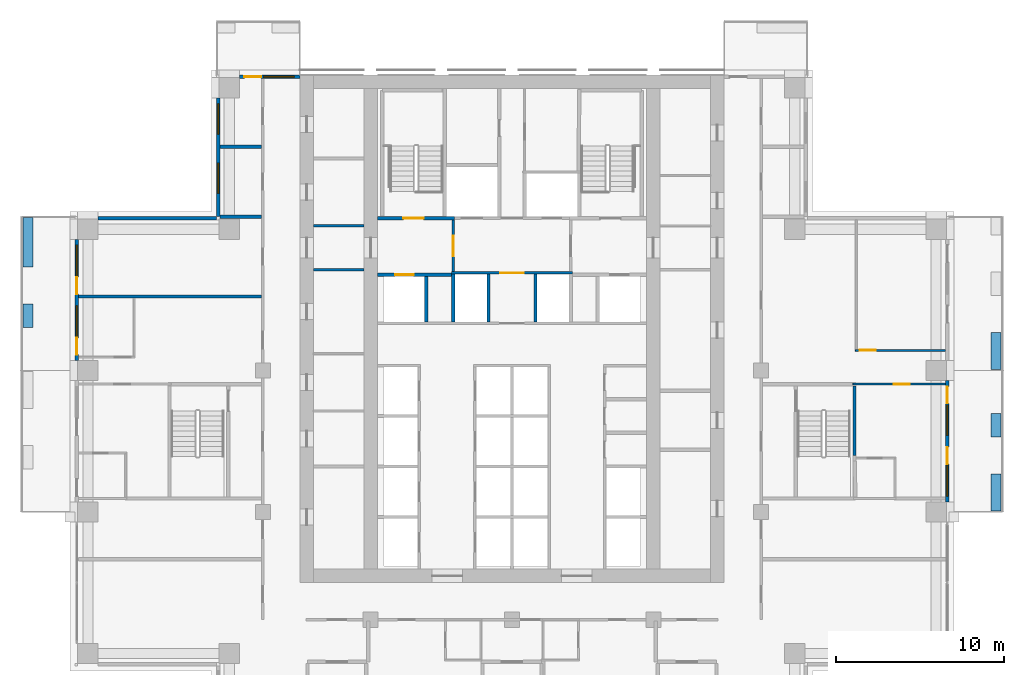
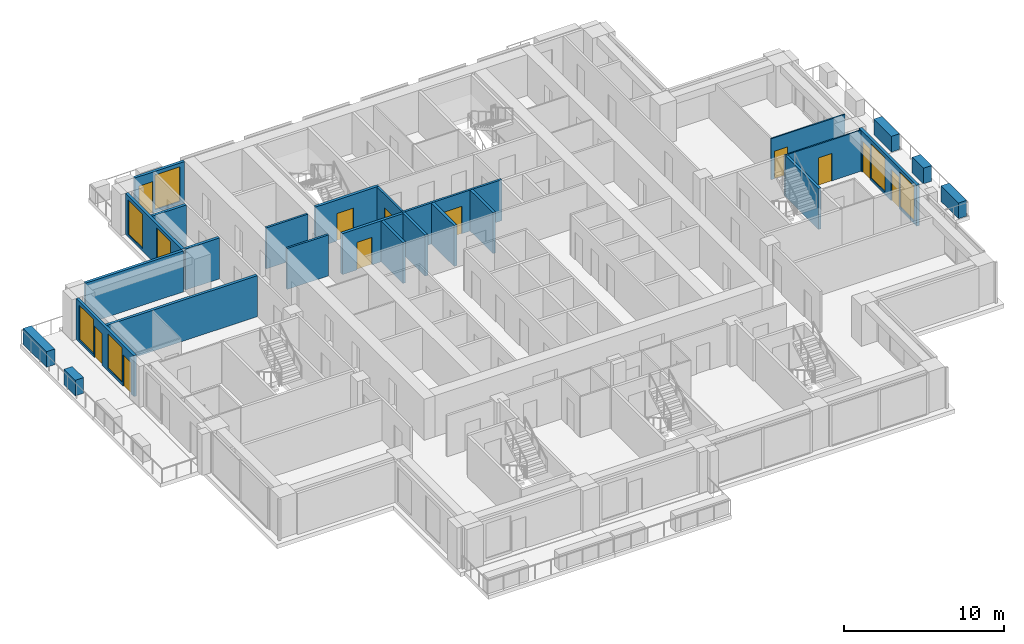
# One storey, part 10 of 16: 26 walls, 11 doors, 7 windows, 18 openings.
"""IFC4 building model written with IfcOpenShell, lengths in metres."""

from ifc_helpers import new_model, si_unit, direction, frame, frame_2d, origin, place, context, subcontext, project, spatial, rectangle, extrude, material, layer, layer_set, type_object, element, fill, save


model = new_model("IFC4")

# Units and contexts
model_context = context("Model", 3, precision=1e-05, world=origin(), true_north=direction((0.0, 1.0)))
body_context = subcontext(model_context, "Body", "Model", "MODEL_VIEW")
ifc_project = project(units=[si_unit("LENGTHUNIT", "METRE"), si_unit("AREAUNIT", "SQUARE_METRE"), si_unit("VOLUMEUNIT", "CUBIC_METRE"), si_unit("PLANEANGLEUNIT", "RADIAN"), si_unit("MASSUNIT", "GRAM", prefix="KILO")], contexts=[model_context])

# Site, building, storey
site_placement = place(None, origin())
site = spatial("IfcSite", under=ifc_project, at=site_placement, CompositionType="ELEMENT")
building_placement = place(site_placement, origin())
building = spatial("IfcBuilding", under=site, at=building_placement, Name="Vermilion Ogive Tower", CompositionType="ELEMENT")
storey_placement = place(building_placement, frame((0.0, 0.0, 101.10009765625)))
storey = spatial("IfcBuildingStorey", under=building, at=storey_placement, Name="L25", CompositionType="ELEMENT", Elevation=101.10009765625)

# Wall, opening, door
ifc_material_1 = material(Name="Gypsum board partition on steel studs", Category="steel")
ifc_layer_1 = layer(ifc_material_1, 0.10009765625)
ifc_layer_set_1 = layer_set([ifc_layer_1], Name="Partition 100 inner")
wall_type_1 = type_object("IfcWallType", Name="Partition 100 inner", PredefinedType="PARTITIONING", material=ifc_layer_set_1)
wall_1_placement = place(storey_placement, frame((20.25, 3.39990234375, 0.0), z_axis=(0.0, 0.0, 1.0), x_axis=(1.0, 0.0, 0.0)))
wall_1 = element("IfcWall", 1, at=wall_1_placement, inside=storey, type_object=wall_type_1, Name="L25-W-W024", PredefinedType="PARTITIONING", context=body_context, shape_type="SweptSolid", body=[
    extrude(rectangle(XDim=5.5, YDim=0.10009765625, at=frame_2d((2.75, 0.0))), origin(), (0.0, 0.0, 1.0), 3.1298828125),
])
opening_1_placement = place(wall_1_placement, frame((2.425048828125, 0.0, 0.0)))
opening_1 = element("IfcOpeningElement", 2, at=opening_1_placement, cuts=wall_1, Name="Opening D2G3016", PredefinedType="OPENING", context=body_context, shape_type="SweptSolid", body=[
    extrude(rectangle(XDim=0.949951171875, YDim=2.10009765625, at=frame_2d((0.47509765625, 1.050048828125))), frame((0.0, 0.06005859375, 0.0), z_axis=(0.0, -1.0, 0.0), x_axis=(1.0, 0.0, 0.0)), (0.0, 0.0, 1.0), 0.1201171875),
])
ifc_material_2 = material(Name="Timber door leaf", Category="wood")
door_type_1 = type_object("IfcDoorType", Name="Inner door 950 x 2100 FD30", OperationType="SINGLE_SWING_LEFT", PredefinedType="DOOR", material=ifc_material_2)
door_1_placement = place(opening_1_placement, origin())
door_1 = element("IfcDoor", 3, at=door_1_placement, inside=storey, type_object=door_type_1, Name="L25-D-D016", OperationType="SINGLE_SWING_LEFT", OverallHeight=2.10009765625, OverallWidth=0.949951171875, PredefinedType="DOOR", context=body_context, shape_type="SweptSolid", body=[
    extrude(rectangle(XDim=0.949951171875, YDim=2.10009765625, at=frame_2d((0.47509765625, 1.050048828125))), frame((0.0, 0.02490234375, 0.0), z_axis=(0.0, -1.0, 0.0), x_axis=(1.0, 0.0, 0.0)), (0.0, 0.0, 1.0), 0.050048828125),
])
fill(opening_1, door_1)

wall_2_placement = place(storey_placement, frame((20.39990234375, 5.39990234375, 0.0), z_axis=(0.0, 0.0, 1.0), x_axis=(1.0, 0.0, 0.0)))
wall_2 = element("IfcWall", 4, at=wall_2_placement, inside=storey, type_object=wall_type_1, Name="L25-W-W026", PredefinedType="PARTITIONING", context=body_context, shape_type="SweptSolid", body=[
    extrude(rectangle(XDim=5.35009765625, YDim=0.10009765625, at=frame_2d((2.675048828125, 0.0))), origin(), (0.0, 0.0, 1.0), 3.1298828125),
])
opening_2_placement = place(wall_2_placement, frame((0.25, 0.0, 0.0)))
opening_2 = element("IfcOpeningElement", 5, at=opening_2_placement, cuts=wall_2, Name="Opening D2G3014", PredefinedType="OPENING", context=body_context, shape_type="SweptSolid", body=[
    extrude(rectangle(XDim=0.949951171875, YDim=2.10009765625, at=frame_2d((0.47509765625, 1.050048828125))), frame((0.0, 0.06005859375, 0.0), z_axis=(0.0, -1.0, 0.0), x_axis=(1.0, 0.0, 0.0)), (0.0, 0.0, 1.0), 0.1201171875),
])
door_2_placement = place(opening_2_placement, origin())
door_2 = element("IfcDoor", 6, at=door_2_placement, inside=storey, type_object=door_type_1, Name="L25-D-D014", OperationType="SINGLE_SWING_LEFT", OverallHeight=2.10009765625, OverallWidth=0.949951171875, PredefinedType="DOOR", context=body_context, shape_type="SweptSolid", body=[
    extrude(rectangle(XDim=0.949951171875, YDim=2.10009765625, at=frame_2d((0.47509765625, 1.050048828125))), frame((0.0, 0.02490234375, 0.0), z_axis=(0.0, -1.0, 0.0), x_axis=(1.0, 0.0, 0.0)), (0.0, 0.0, 1.0), 0.050048828125),
])
fill(opening_2, door_2)

ifc_material_3 = material(Name="Gypsum board partition on steel studs", Category="steel")
ifc_layer_2 = layer(ifc_material_3, 0.14990234375)
ifc_layer_set_2 = layer_set([ifc_layer_2], Name="Partition 150 corridor")
wall_type_2 = type_object("IfcWallType", Name="Partition 150 corridor", PredefinedType="PARTITIONING", material=ifc_layer_set_2)
wall_3_placement = place(storey_placement, frame((-3.60009765625, 10.0, 0.0), z_axis=(0.0, 0.0, 1.0), x_axis=(1.0, 0.0, 0.0)))
wall_3 = element("IfcWall", 7, at=wall_3_placement, inside=storey, type_object=wall_type_2, Name="L25-CK-W-W017", PredefinedType="PARTITIONING", context=body_context, shape_type="SweptSolid", body=[
    extrude(rectangle(XDim=7.2001953125, YDim=0.14990234375, at=frame_2d((3.60009765625, 0.0))), origin(), (0.0, 0.0, 1.0), 3.1298828125),
])
opening_3_placement = place(wall_3_placement, frame((2.900146484375, 0.0, 0.0)))
opening_3 = element("IfcOpeningElement", 8, at=opening_3_placement, cuts=wall_3, Name="Opening DAA187", PredefinedType="OPENING", context=body_context, shape_type="SweptSolid", body=[
    extrude(rectangle(XDim=1.39990234375, YDim=2.10009765625, at=frame_2d((0.699951171875, 1.050048828125))), frame((0.0, 0.0849609375, 0.0), z_axis=(0.0, -1.0, 0.0), x_axis=(1.0, 0.0, 0.0)), (0.0, 0.0, 1.0), 0.169921875),
])
ifc_material_4 = material(Name="Timber door leaf", Category="wood")
door_type_2 = type_object("IfcDoorType", Name="Lobby door 1400 x 2100 FD60S", OperationType="SINGLE_SWING_LEFT", PredefinedType="DOOR", material=ifc_material_4)
door_3_placement = place(opening_3_placement, origin())
door_3 = element("IfcDoor", 9, at=door_3_placement, inside=storey, type_object=door_type_2, Name="L25-CK-D-D017", OperationType="SINGLE_SWING_RIGHT", OverallHeight=2.10009765625, OverallWidth=1.39990234375, PredefinedType="DOOR", context=body_context, shape_type="SweptSolid", body=[
    extrude(rectangle(XDim=1.39990234375, YDim=2.10009765625, at=frame_2d((0.699951171875, 1.050048828125))), frame((0.0, 0.02490234375, 0.0), z_axis=(0.0, -1.0, 0.0), x_axis=(1.0, 0.0, 0.0)), (0.0, 0.0, 1.0), 0.050048828125),
])
fill(opening_3, door_3)

wall_4_placement = place(storey_placement, frame((-3.5, 10.074951171875, 0.0), z_axis=(0.0, 0.0, 1.0), x_axis=(0.0, 1.0, 0.0)))
wall_4 = element("IfcWall", 10, at=wall_4_placement, inside=storey, type_object=wall_type_2, Name="L25-CK-W-W027", PredefinedType="PARTITIONING", context=body_context, shape_type="SweptSolid", body=[
    extrude(rectangle(XDim=3.074951171875, YDim=0.14990234375, at=frame_2d((1.53759765625, 0.0))), origin(), (0.0, 0.0, 1.0), 3.1298828125),
])
opening_4_placement = place(wall_4_placement, frame((0.925048828125, 0.0, 0.0)))
opening_4 = element("IfcOpeningElement", 11, at=opening_4_placement, cuts=wall_4, Name="Opening DAA184", PredefinedType="OPENING", context=body_context, shape_type="SweptSolid", body=[
    extrude(rectangle(XDim=1.199951171875, YDim=2.10009765625, at=frame_2d((0.60009765625, 1.050048828125))), frame((0.0, 0.0849609375, 0.0), z_axis=(0.0, -1.0, 0.0), x_axis=(1.0, 0.0, 0.0)), (0.0, 0.0, 1.0), 0.169921875),
])
ifc_material_5 = material(Name="Timber door leaf", Category="wood")
door_type_3 = type_object("IfcDoorType", Name="Lobby door 1200 x 2100 FD60S", OperationType="SINGLE_SWING_LEFT", PredefinedType="DOOR", material=ifc_material_5)
door_4_placement = place(opening_4_placement, origin())
door_4 = element("IfcDoor", 12, at=door_4_placement, inside=storey, type_object=door_type_3, Name="L25-CK-D-D023", OperationType="SINGLE_SWING_RIGHT", OverallHeight=2.10009765625, OverallWidth=1.199951171875, PredefinedType="DOOR", context=body_context, shape_type="SweptSolid", body=[
    extrude(rectangle(XDim=1.199951171875, YDim=2.10009765625, at=frame_2d((0.60009765625, 1.050048828125))), frame((0.0, 0.02490234375, 0.0), z_axis=(0.0, -1.0, 0.0), x_axis=(1.0, 0.0, 0.0)), (0.0, 0.0, 1.0), 0.050048828125),
])
fill(opening_4, door_4)

# Walls
for number, where, z_axis, x_axis, name in (
    (13, (-11.799072265625, 10.199951171875, 0.0), (0.0, 0.0, 1.0), (1.0, 0.0, 0.0), "L25-CKW-W-W004"),
    (14, (-11.799072265625, 12.800048828125, 0.0), (0.0, 0.0, 1.0), (1.0, 0.0, 0.0), "L25-CKW-W-W005"),
):
    element("IfcWall", number, at=place(storey_placement, frame(where, z_axis=z_axis, x_axis=x_axis)), inside=storey, type_object=wall_type_2, Name=name, PredefinedType="PARTITIONING", context=body_context, shape_type="SweptSolid", body=[
        extrude(rectangle(XDim=2.998046875, YDim=0.14990234375, at=frame_2d((1.4990234375, 0.0))), origin(), (0.0, 0.0, 1.0), 3.1298828125),
    ])
ifc_material_6 = material(Name="Gypsum board partition on steel studs", Category="steel")
ifc_layer_3 = layer(ifc_material_6, 0.199951171875)
ifc_layer_set_3 = layer_set([ifc_layer_3], Name="Partition 200 party")
wall_type_3 = type_object("IfcWallType", Name="Partition 200 party", PredefinedType="PARTITIONING", material=ifc_layer_set_3)
wall_5_placement = place(storey_placement, frame((-25.75, 8.60009765625, 0.0), z_axis=(0.0, 0.0, 1.0), x_axis=(1.0, 0.0, 0.0)))
element("IfcWall", 15, at=wall_5_placement, inside=storey, type_object=wall_type_3, Name="L25-W-W027", PredefinedType="PARTITIONING", context=body_context, shape_type="SweptSolid", body=[
    extrude(rectangle(XDim=10.875, YDim=0.199951171875, at=frame_2d((5.4375, 0.0))), origin(), (0.0, 0.0, 1.0), 3.1298828125),
])
for number, where, z_axis, x_axis, name in (
    (16, (-17.35009765625, 13.35009765625, 0.0), (0.0, 0.0, 1.0), (1.0, 0.0, 0.0), "L25-W-W028"),
    (17, (-17.35009765625, 17.5, 0.0), (0.0, 0.0, 1.0), (1.0, 0.0, 0.0), "L25-W-W030"),
):
    element("IfcWall", number, at=place(storey_placement, frame(where, z_axis=z_axis, x_axis=x_axis)), inside=storey, type_object=wall_type_3, Name=name, PredefinedType="PARTITIONING", context=body_context, shape_type="SweptSolid", body=[
        extrude(rectangle(XDim=2.47509765625, YDim=0.199951171875, at=frame_2d((1.237548828125, 0.0))), origin(), (0.0, 0.0, 1.0), 3.1298828125),
    ])

# Wall, opening, door
wall_6_placement = place(storey_placement, frame((-7.9990234375, 9.89990234375, 0.0), z_axis=(0.0, 0.0, 1.0), x_axis=(1.0, 0.0, 0.0)))
wall_6 = element("IfcWall", 18, at=wall_6_placement, inside=storey, type_object=wall_type_3, Name="L25-CK-W-W015", PredefinedType="PARTITIONING", context=body_context, shape_type="SweptSolid", body=[
    extrude(rectangle(XDim=4.39892578125, YDim=0.199951171875, at=frame_2d((2.199462890625, 0.0))), origin(), (0.0, 0.0, 1.0), 3.1298828125),
])
opening_5_placement = place(wall_6_placement, frame((1.049072265625, 0.0, 0.0)))
opening_5 = element("IfcOpeningElement", 19, at=opening_5_placement, cuts=wall_6, Name="Opening DAA206", PredefinedType="OPENING", context=body_context, shape_type="SweptSolid", body=[
    extrude(rectangle(XDim=1.10009765625, YDim=2.10009765625, at=frame_2d((0.550048828125, 1.050048828125))), frame((0.0, 0.10986328125, 0.0), z_axis=(0.0, -1.0, 0.0), x_axis=(1.0, 0.0, 0.0)), (0.0, 0.0, 1.0), 0.219970703125),
])
ifc_material_7 = material(Name="Stainless steel", Category="steel")
door_type_4 = type_object("IfcDoorType", Name="Lift landing door 1100 x 2100", OperationType="SLIDING_TO_LEFT", PredefinedType="DOOR", material=ifc_material_7)
door_5_placement = place(opening_5_placement, origin())
door_5 = element("IfcDoor", 20, at=door_5_placement, inside=storey, type_object=door_type_4, Name="L25-CK-D-D013", OperationType="SLIDING_TO_LEFT", OverallHeight=2.10009765625, OverallWidth=1.10009765625, PredefinedType="DOOR", context=body_context, shape_type="SweptSolid", body=[
    extrude(rectangle(XDim=1.10009765625, YDim=2.10009765625, at=frame_2d((0.550048828125, 1.050048828125))), frame((0.0, 0.02490234375, 0.0), z_axis=(0.0, -1.0, 0.0), x_axis=(1.0, 0.0, 0.0)), (0.0, 0.0, 1.0), 0.050048828125),
])
fill(opening_5, door_5)

# Walls
wall_7_placement = place(storey_placement, frame((-5.10009765625, 7.074951171875, 0.0), z_axis=(0.0, 0.0, 1.0), x_axis=(0.0, 1.0, 0.0)))
element("IfcWall", 21, at=wall_7_placement, inside=storey, type_object=wall_type_3, Name="L25-CK-W-W024", PredefinedType="PARTITIONING", context=body_context, shape_type="SweptSolid", body=[
    extrude(rectangle(XDim=2.72509765625, YDim=0.199951171875, at=frame_2d((1.362548828125, 0.0))), origin(), (0.0, 0.0, 1.0), 3.1298828125),
])
for number, where, z_axis, x_axis, name in (
    (22, (-3.5, 7.074951171875, 0.0), (0.0, 0.0, 1.0), (0.0, 1.0, 0.0), "L25-CK-W-W026"),
    (23, (-1.39990234375, 7.074951171875, 0.0), (0.0, 0.0, 1.0), (0.0, 1.0, 0.0), "L25-CK-W-W029"),
    (24, (1.39990234375, 7.074951171875, 0.0), (0.0, 0.0, 1.0), (0.0, 1.0, 0.0), "L25-CK-W-W034"),
):
    element("IfcWall", number, at=place(storey_placement, frame(where, z_axis=z_axis, x_axis=x_axis)), inside=storey, type_object=wall_type_3, Name=name, PredefinedType="PARTITIONING", context=body_context, shape_type="SweptSolid", body=[
        extrude(rectangle(XDim=2.85009765625, YDim=0.199951171875, at=frame_2d((1.425048828125, 0.0))), origin(), (0.0, 0.0, 1.0), 3.1298828125),
    ])
ifc_material_8 = material(Name="Concrete B60", Category="concrete")
ifc_layer_4 = layer(ifc_material_8, 0.199951171875)
ifc_layer_set_4 = layer_set([ifc_layer_4], Name="Stair shaft wall 200 Concrete B60")
wall_type_4 = type_object("IfcWallType", Name="Stair shaft wall 200 Concrete B60", PredefinedType="SOLIDWALL", material=ifc_layer_set_4)
wall_8_placement = place(storey_placement, frame((20.35009765625, -0.830078125, 0.0), z_axis=(0.0, 0.0, 1.0), x_axis=(0.0, 1.0, 0.0)))
element("IfcWall", 25, at=wall_8_placement, inside=storey, type_object=wall_type_4, Name="L25-W-W049", PredefinedType="SOLIDWALL", context=body_context, shape_type="SweptSolid", body=[
    extrude(rectangle(XDim=4.130126953125, YDim=0.199951171875, at=frame_2d((2.06494140625, 0.0))), origin(), (0.0, 0.0, 1.0), 3.1298828125),
])

# Wall, opening, door
wall_9_placement = place(storey_placement, frame((-7.9990234375, 13.25, 0.0), z_axis=(0.0, 0.0, 1.0), x_axis=(1.0, 0.0, 0.0)))
wall_9 = element("IfcWall", 26, at=wall_9_placement, inside=storey, type_object=wall_type_4, Name="L25-CK-W-W018", PredefinedType="SOLIDWALL", context=body_context, shape_type="SweptSolid", body=[
    extrude(rectangle(XDim=4.573974609375, YDim=0.199951171875, at=frame_2d((2.287109375, 0.0))), origin(), (0.0, 0.0, 1.0), 3.1298828125),
])
opening_6_placement = place(wall_9_placement, frame((1.549072265625, 0.0, 0.0)))
opening_6 = element("IfcOpeningElement", 27, at=opening_6_placement, cuts=wall_9, Name="Opening DAA194", PredefinedType="OPENING", context=body_context, shape_type="SweptSolid", body=[
    extrude(rectangle(XDim=1.199951171875, YDim=2.10009765625, at=frame_2d((0.60009765625, 1.050048828125))), frame((0.0, 0.10986328125, 0.0), z_axis=(0.0, -1.0, 0.0), x_axis=(1.0, 0.0, 0.0)), (0.0, 0.0, 1.0), 0.219970703125),
])
ifc_material_9 = material(Name="Timber door leaf", Category="wood")
door_type_5 = type_object("IfcDoorType", Name="Stair door 1200 x 2100 FD60S", OperationType="SINGLE_SWING_LEFT", PredefinedType="DOOR", material=ifc_material_9)
door_6_placement = place(opening_6_placement, origin())
door_6 = element("IfcDoor", 28, at=door_6_placement, inside=storey, type_object=door_type_5, Name="L25-CK-D-D012", OperationType="SINGLE_SWING_LEFT", OverallHeight=2.10009765625, OverallWidth=1.199951171875, PredefinedType="DOOR", context=body_context, shape_type="SweptSolid", body=[
    extrude(rectangle(XDim=1.199951171875, YDim=2.10009765625, at=frame_2d((0.60009765625, 1.050048828125))), frame((0.0, 0.02490234375, 0.0), z_axis=(0.0, -1.0, 0.0), x_axis=(1.0, 0.0, 0.0)), (0.0, 0.0, 1.0), 0.050048828125),
])
fill(opening_6, door_6)

# Walls
ifc_material_10 = material(Name="Concrete B40", Category="concrete")
ifc_layer_5 = layer(ifc_material_10, 0.60009765625)
ifc_layer_set_5 = layer_set([ifc_layer_5], Name="Structural planter")
wall_type_5 = type_object("IfcWallType", Name="Structural planter", PredefinedType="USERDEFINED", material=ifc_layer_set_5)
wall_10_placement = place(storey_placement, frame((28.75, -4.139892578125, -0.0400390625), z_axis=(0.0, 0.0, 1.0), x_axis=(0.0, 1.0, 0.0)))
element("IfcWall", 29, at=wall_10_placement, inside=storey, type_object=wall_type_5, Name="Planter E02A1", ObjectType="PLANTER", PredefinedType="USERDEFINED", context=body_context, shape_type="SweptSolid", body=[
    extrude(rectangle(XDim=2.18994140625, YDim=0.60009765625, at=frame_2d((1.094970703125, 0.0))), origin(), (0.0, 0.0, 1.0), 1.199951171875),
])
wall_11_placement = place(storey_placement, frame((28.75, 0.25, -0.0400390625), z_axis=(0.0, 0.0, 1.0), x_axis=(0.0, 1.0, 0.0)))
element("IfcWall", 30, at=wall_11_placement, inside=storey, type_object=wall_type_5, Name="Planter E02A2", ObjectType="PLANTER", PredefinedType="USERDEFINED", context=body_context, shape_type="SweptSolid", body=[
    extrude(rectangle(XDim=1.39990234375, YDim=0.60009765625, at=frame_2d((0.699951171875, 0.0))), origin(), (0.0, 0.0, 1.0), 1.199951171875),
])
wall_12_placement = place(storey_placement, frame((28.75, 4.260009765625, -0.0400390625), z_axis=(0.0, 0.0, 1.0), x_axis=(0.0, 1.0, 0.0)))
element("IfcWall", 31, at=wall_12_placement, inside=storey, type_object=wall_type_5, Name="Planter E03A1", ObjectType="PLANTER", PredefinedType="USERDEFINED", context=body_context, shape_type="SweptSolid", body=[
    extrude(rectangle(XDim=2.18994140625, YDim=0.60009765625, at=frame_2d((1.094970703125, 0.0))), origin(), (0.0, 0.0, 1.0), 1.199951171875),
])
wall_13_placement = place(storey_placement, frame((-28.75, 13.2900390625, -0.0400390625), z_axis=(0.0, 0.0, 1.0), x_axis=(0.0, -1.0, 0.0)))
element("IfcWall", 32, at=wall_13_placement, inside=storey, type_object=wall_type_5, Name="Planter W01A1", ObjectType="PLANTER", PredefinedType="USERDEFINED", context=body_context, shape_type="SweptSolid", body=[
    extrude(rectangle(XDim=2.93994140625, YDim=0.60009765625, at=frame_2d((1.469970703125, 0.0))), origin(), (0.0, 0.0, 1.0), 1.199951171875),
])
wall_14_placement = place(storey_placement, frame((-28.75, 8.14990234375, -0.0400390625), z_axis=(0.0, 0.0, 1.0), x_axis=(0.0, -1.0, 0.0)))
element("IfcWall", 33, at=wall_14_placement, inside=storey, type_object=wall_type_5, Name="Planter W01A2", ObjectType="PLANTER", PredefinedType="USERDEFINED", context=body_context, shape_type="SweptSolid", body=[
    extrude(rectangle(XDim=1.39990234375, YDim=0.60009765625, at=frame_2d((0.699951171875, 0.0))), origin(), (0.0, 0.0, 1.0), 1.199951171875),
])

# Wall, openings, doors, windows
ifc_material_11 = material(Name="Aluminium window wall framing", Category="aluminium")
ifc_layer_6 = layer(ifc_material_11, 0.199951171875)
ifc_layer_set_6 = layer_set([ifc_layer_6], Name="Window wall")
wall_type_6 = type_object("IfcWallType", Name="Window wall", PredefinedType="STANDARD", material=ifc_layer_set_6)
wall_15_placement = place(storey_placement, frame((25.85009765625, -3.60009765625, 0.0), z_axis=(0.0, 0.0, 1.0), x_axis=(0.0, 1.0, 0.0)))
wall_15 = element("IfcWall", 34, at=wall_15_placement, inside=storey, type_object=wall_type_6, Name="Window wall E2", PredefinedType="STANDARD", context=body_context, shape_type="SweptSolid", body=[
    extrude(rectangle(XDim=7.2001953125, YDim=0.199951171875, at=frame_2d((3.60009765625, 0.0))), origin(), (0.0, 0.0, 1.0), 3.1298828125),
])
opening_7_placement = place(wall_15_placement, frame((0.35009765625, 0.0, 0.199951171875)))
opening_7 = element("IfcOpeningElement", 35, at=opening_7_placement, cuts=wall_15, Name="Opening W1-E99", PredefinedType="OPENING", context=body_context, shape_type="SweptSolid", body=[
    extrude(rectangle(XDim=1.800048828125, YDim=2.64990234375, at=frame_2d((0.89990234375, 1.324951171875))), frame((0.0, 0.10986328125, 0.0), z_axis=(0.0, -1.0, 0.0), x_axis=(1.0, 0.0, 0.0)), (0.0, 0.0, 1.0), 0.219970703125),
])
opening_8_placement = place(wall_15_placement, frame((2.25, 0.0, 0.0)))
opening_8 = element("IfcOpeningElement", 36, at=opening_8_placement, cuts=wall_15, Name="Opening D1-E99", PredefinedType="OPENING", context=body_context, shape_type="SweptSolid", body=[
    extrude(rectangle(XDim=1.0, YDim=2.39990234375, at=frame_2d((0.5, 1.199951171875))), frame((0.0, 0.10986328125, 0.0), z_axis=(0.0, -1.0, 0.0), x_axis=(1.0, 0.0, 0.0)), (0.0, 0.0, 1.0), 0.219970703125),
])
opening_9_placement = place(wall_15_placement, frame((3.949951171875, 0.0, 0.199951171875)))
opening_9 = element("IfcOpeningElement", 37, at=opening_9_placement, cuts=wall_15, Name="Opening W1-E00", PredefinedType="OPENING", context=body_context, shape_type="SweptSolid", body=[
    extrude(rectangle(XDim=1.800048828125, YDim=2.64990234375, at=frame_2d((0.89990234375, 1.324951171875))), frame((0.0, 0.10986328125, 0.0), z_axis=(0.0, -1.0, 0.0), x_axis=(1.0, 0.0, 0.0)), (0.0, 0.0, 1.0), 0.219970703125),
])
opening_10_placement = place(wall_15_placement, frame((5.85009765625, 0.0, 0.0)))
opening_10 = element("IfcOpeningElement", 38, at=opening_10_placement, cuts=wall_15, Name="Opening D1-E00", PredefinedType="OPENING", context=body_context, shape_type="SweptSolid", body=[
    extrude(rectangle(XDim=1.0, YDim=2.39990234375, at=frame_2d((0.5, 1.199951171875))), frame((0.0, 0.10986328125, 0.0), z_axis=(0.0, -1.0, 0.0), x_axis=(1.0, 0.0, 0.0)), (0.0, 0.0, 1.0), 0.219970703125),
])
ifc_material_12 = material(Name="Aluminium framed glazed door", Category="aluminium")
door_type_6 = type_object("IfcDoorType", Name="Balcony door D1", OperationType="SINGLE_SWING_LEFT", PredefinedType="DOOR", material=ifc_material_12)
door_7_placement = place(opening_8_placement, origin())
door_7 = element("IfcDoor", 39, at=door_7_placement, inside=storey, type_object=door_type_6, Name="Balcony door E99", OperationType="SINGLE_SWING_LEFT", OverallHeight=2.39990234375, OverallWidth=1.0, PredefinedType="DOOR", context=body_context, shape_type="SweptSolid", body=[
    extrude(rectangle(XDim=1.0, YDim=2.39990234375, at=frame_2d((0.5, 1.199951171875))), frame((0.0, 0.02490234375, 0.0), z_axis=(0.0, -1.0, 0.0), x_axis=(1.0, 0.0, 0.0)), (0.0, 0.0, 1.0), 0.050048828125),
])
fill(opening_8, door_7)
door_8_placement = place(opening_10_placement, origin())
door_8 = element("IfcDoor", 40, at=door_8_placement, inside=storey, type_object=door_type_6, Name="Balcony door E00", OperationType="SINGLE_SWING_LEFT", OverallHeight=2.39990234375, OverallWidth=1.0, PredefinedType="DOOR", context=body_context, shape_type="SweptSolid", body=[
    extrude(rectangle(XDim=1.0, YDim=2.39990234375, at=frame_2d((0.5, 1.199951171875))), frame((0.0, 0.02490234375, 0.0), z_axis=(0.0, -1.0, 0.0), x_axis=(1.0, 0.0, 0.0)), (0.0, 0.0, 1.0), 0.050048828125),
])
fill(opening_10, door_8)
ifc_material_13 = material(Name="Aluminium framed double glazing", Category="aluminium")
window_type = type_object("IfcWindowType", Name="Guest window W1", PartitioningType="SINGLE_PANEL", PredefinedType="WINDOW", material=ifc_material_13)
window_1_placement = place(opening_7_placement, origin())
window_1 = element("IfcWindow", 41, at=window_1_placement, inside=storey, type_object=window_type, Name="Window E99", OverallHeight=2.64990234375, OverallWidth=1.800048828125, PartitioningType="SINGLE_PANEL", PredefinedType="WINDOW", context=body_context, shape_type="SweptSolid", body=[
    extrude(rectangle(XDim=1.800048828125, YDim=2.64990234375, at=frame_2d((0.89990234375, 1.324951171875))), frame((0.0, 0.030029296875, 0.0), z_axis=(0.0, -1.0, 0.0), x_axis=(1.0, 0.0, 0.0)), (0.0, 0.0, 1.0), 0.06005859375),
])
fill(opening_7, window_1)
window_2_placement = place(opening_9_placement, origin())
window_2 = element("IfcWindow", 42, at=window_2_placement, inside=storey, type_object=window_type, Name="Window E00", OverallHeight=2.64990234375, OverallWidth=1.800048828125, PartitioningType="SINGLE_PANEL", PredefinedType="WINDOW", context=body_context, shape_type="SweptSolid", body=[
    extrude(rectangle(XDim=1.800048828125, YDim=2.64990234375, at=frame_2d((0.89990234375, 1.324951171875))), frame((0.0, 0.030029296875, 0.0), z_axis=(0.0, -1.0, 0.0), x_axis=(1.0, 0.0, 0.0)), (0.0, 0.0, 1.0), 0.06005859375),
])
fill(opening_9, window_2)

# Wall, openings, door, window
wall_16_placement = place(storey_placement, frame((-12.60009765625, 21.64990234375, 0.0), z_axis=(0.0, 0.0, 1.0), x_axis=(-1.0, 0.0, 0.0)))
wall_16 = element("IfcWall", 43, at=wall_16_placement, inside=storey, type_object=wall_type_6, Name="Window wall N21", PredefinedType="STANDARD", context=body_context, shape_type="SweptSolid", body=[
    extrude(rectangle(XDim=3.599853515625, YDim=0.199951171875, at=frame_2d((1.7998046875, 0.0))), origin(), (0.0, 0.0, 1.0), 3.1298828125),
])
opening_11_placement = place(wall_16_placement, frame((0.35009765625, 0.0, 0.199951171875)))
opening_11 = element("IfcOpeningElement", 44, at=opening_11_placement, cuts=wall_16, Name="Opening W1-N296", PredefinedType="OPENING", context=body_context, shape_type="SweptSolid", body=[
    extrude(rectangle(XDim=1.800048828125, YDim=2.64990234375, at=frame_2d((0.89990234375, 1.324951171875))), frame((0.0, 0.10986328125, 0.0), z_axis=(0.0, -1.0, 0.0), x_axis=(1.0, 0.0, 0.0)), (0.0, 0.0, 1.0), 0.219970703125),
])
opening_12_placement = place(wall_16_placement, frame((2.300048828125, 0.0, 0.0)))
opening_12 = element("IfcOpeningElement", 45, at=opening_12_placement, cuts=wall_16, Name="Opening D1-N296", PredefinedType="OPENING", context=body_context, shape_type="SweptSolid", body=[
    extrude(rectangle(XDim=1.0, YDim=2.39990234375, at=frame_2d((0.5, 1.199951171875))), frame((0.0, 0.10986328125, 0.0), z_axis=(0.0, -1.0, 0.0), x_axis=(1.0, 0.0, 0.0)), (0.0, 0.0, 1.0), 0.219970703125),
])
door_9_placement = place(opening_12_placement, origin())
door_9 = element("IfcDoor", 46, at=door_9_placement, inside=storey, type_object=door_type_6, Name="Balcony door N296", OperationType="SINGLE_SWING_LEFT", OverallHeight=2.39990234375, OverallWidth=1.0, PredefinedType="DOOR", context=body_context, shape_type="SweptSolid", body=[
    extrude(rectangle(XDim=1.0, YDim=2.39990234375, at=frame_2d((0.5, 1.199951171875))), frame((0.0, 0.02490234375, 0.0), z_axis=(0.0, -1.0, 0.0), x_axis=(1.0, 0.0, 0.0)), (0.0, 0.0, 1.0), 0.050048828125),
])
fill(opening_12, door_9)
window_3_placement = place(opening_11_placement, origin())
window_3 = element("IfcWindow", 47, at=window_3_placement, inside=storey, type_object=window_type, Name="Window N296", OverallHeight=2.64990234375, OverallWidth=1.800048828125, PartitioningType="SINGLE_PANEL", PredefinedType="WINDOW", context=body_context, shape_type="SweptSolid", body=[
    extrude(rectangle(XDim=1.800048828125, YDim=2.64990234375, at=frame_2d((0.89990234375, 1.324951171875))), frame((0.0, 0.030029296875, 0.0), z_axis=(0.0, -1.0, 0.0), x_axis=(1.0, 0.0, 0.0)), (0.0, 0.0, 1.0), 0.06005859375),
])
fill(opening_11, window_3)

# Wall, openings, windows
wall_17_placement = place(storey_placement, frame((-17.449951171875, 20.39990234375, 0.0), z_axis=(0.0, 0.0, 1.0), x_axis=(0.0, -1.0, 0.0)))
wall_17 = element("IfcWall", 48, at=wall_17_placement, inside=storey, type_object=wall_type_6, Name="Window wall X51", PredefinedType="STANDARD", context=body_context, shape_type="SweptSolid", body=[
    extrude(rectangle(XDim=7.0498046875, YDim=0.199951171875, at=frame_2d((3.52490234375, 0.0))), origin(), (0.0, 0.0, 1.0), 3.1298828125),
])
opening_13_placement = place(wall_17_placement, frame((3.875, 0.0, 0.199951171875)))
opening_13 = element("IfcOpeningElement", 49, at=opening_13_placement, cuts=wall_17, Name="Opening W1-X503", PredefinedType="OPENING", context=body_context, shape_type="SweptSolid", body=[
    extrude(rectangle(XDim=1.800048828125, YDim=2.64990234375, at=frame_2d((0.89990234375, 1.324951171875))), frame((0.0, 0.10986328125, 0.0), z_axis=(0.0, -1.0, 0.0), x_axis=(1.0, 0.0, 0.0)), (0.0, 0.0, 1.0), 0.219970703125),
])
opening_14_placement = place(wall_17_placement, frame((0.35009765625, 0.0, 0.199951171875)))
opening_14 = element("IfcOpeningElement", 50, at=opening_14_placement, cuts=wall_17, Name="Opening W1-X504", PredefinedType="OPENING", context=body_context, shape_type="SweptSolid", body=[
    extrude(rectangle(XDim=1.800048828125, YDim=2.64990234375, at=frame_2d((0.89990234375, 1.324951171875))), frame((0.0, 0.10986328125, 0.0), z_axis=(0.0, -1.0, 0.0), x_axis=(1.0, 0.0, 0.0)), (0.0, 0.0, 1.0), 0.219970703125),
])
window_4_placement = place(opening_13_placement, origin())
window_4 = element("IfcWindow", 51, at=window_4_placement, inside=storey, type_object=window_type, Name="Window X503", OverallHeight=2.64990234375, OverallWidth=1.800048828125, PartitioningType="SINGLE_PANEL", PredefinedType="WINDOW", context=body_context, shape_type="SweptSolid", body=[
    extrude(rectangle(XDim=1.800048828125, YDim=2.64990234375, at=frame_2d((0.89990234375, 1.324951171875))), frame((0.0, 0.030029296875, 0.0), z_axis=(0.0, -1.0, 0.0), x_axis=(1.0, 0.0, 0.0)), (0.0, 0.0, 1.0), 0.06005859375),
])
fill(opening_13, window_4)
window_5_placement = place(opening_14_placement, origin())
window_5 = element("IfcWindow", 52, at=window_5_placement, inside=storey, type_object=window_type, Name="Window X504", OverallHeight=2.64990234375, OverallWidth=1.800048828125, PartitioningType="SINGLE_PANEL", PredefinedType="WINDOW", context=body_context, shape_type="SweptSolid", body=[
    extrude(rectangle(XDim=1.800048828125, YDim=2.64990234375, at=frame_2d((0.89990234375, 1.324951171875))), frame((0.0, 0.030029296875, 0.0), z_axis=(0.0, -1.0, 0.0), x_axis=(1.0, 0.0, 0.0)), (0.0, 0.0, 1.0), 0.06005859375),
])
fill(opening_14, window_5)

# Wall
wall_18_placement = place(storey_placement, frame((-17.550048828125, 13.25, 0.0), z_axis=(0.0, 0.0, 1.0), x_axis=(-1.0, 0.0, 0.0)))
element("IfcWall", 53, at=wall_18_placement, inside=storey, type_object=wall_type_6, Name="Window wall X61", PredefinedType="STANDARD", context=body_context, shape_type="SweptSolid", body=[
    extrude(rectangle(XDim=7.050048828125, YDim=0.199951171875, at=frame_2d((3.52490234375, 0.0))), origin(), (0.0, 0.0, 1.0), 3.1298828125),
])

# Wall, openings, doors, windows
wall_19_placement = place(storey_placement, frame((-25.85009765625, 12.0, 0.0), z_axis=(0.0, 0.0, 1.0), x_axis=(0.0, -1.0, 0.0)))
wall_19 = element("IfcWall", 54, at=wall_19_placement, inside=storey, type_object=wall_type_6, Name="Window wall W1", PredefinedType="STANDARD", context=body_context, shape_type="SweptSolid", body=[
    extrude(rectangle(XDim=7.199951171875, YDim=0.199951171875, at=frame_2d((3.60009765625, 0.0))), origin(), (0.0, 0.0, 1.0), 3.1298828125),
])
opening_15_placement = place(wall_19_placement, frame((3.949951171875, 0.0, 0.199951171875)))
opening_15 = element("IfcOpeningElement", 55, at=opening_15_placement, cuts=wall_19, Name="Opening W1-W01", PredefinedType="OPENING", context=body_context, shape_type="SweptSolid", body=[
    extrude(rectangle(XDim=1.800048828125, YDim=2.64990234375, at=frame_2d((0.89990234375, 1.324951171875))), frame((0.0, 0.10986328125, 0.0), z_axis=(0.0, -1.0, 0.0), x_axis=(1.0, 0.0, 0.0)), (0.0, 0.0, 1.0), 0.219970703125),
])
opening_16_placement = place(wall_19_placement, frame((5.85009765625, 0.0, 0.0)))
opening_16 = element("IfcOpeningElement", 56, at=opening_16_placement, cuts=wall_19, Name="Opening D1-W01", PredefinedType="OPENING", context=body_context, shape_type="SweptSolid", body=[
    extrude(rectangle(XDim=1.0, YDim=2.39990234375, at=frame_2d((0.5, 1.199951171875))), frame((0.0, 0.10986328125, 0.0), z_axis=(0.0, -1.0, 0.0), x_axis=(1.0, 0.0, 0.0)), (0.0, 0.0, 1.0), 0.219970703125),
])
opening_17_placement = place(wall_19_placement, frame((0.35009765625, 0.0, 0.199951171875)))
opening_17 = element("IfcOpeningElement", 57, at=opening_17_placement, cuts=wall_19, Name="Opening W1-W02", PredefinedType="OPENING", context=body_context, shape_type="SweptSolid", body=[
    extrude(rectangle(XDim=1.800048828125, YDim=2.64990234375, at=frame_2d((0.89990234375, 1.324951171875))), frame((0.0, 0.10986328125, 0.0), z_axis=(0.0, -1.0, 0.0), x_axis=(1.0, 0.0, 0.0)), (0.0, 0.0, 1.0), 0.219970703125),
])
opening_18_placement = place(wall_19_placement, frame((2.25, 0.0, 0.0)))
opening_18 = element("IfcOpeningElement", 58, at=opening_18_placement, cuts=wall_19, Name="Opening D1-W02", PredefinedType="OPENING", context=body_context, shape_type="SweptSolid", body=[
    extrude(rectangle(XDim=1.0, YDim=2.39990234375, at=frame_2d((0.5, 1.199951171875))), frame((0.0, 0.10986328125, 0.0), z_axis=(0.0, -1.0, 0.0), x_axis=(1.0, 0.0, 0.0)), (0.0, 0.0, 1.0), 0.219970703125),
])
door_10_placement = place(opening_16_placement, origin())
door_10 = element("IfcDoor", 59, at=door_10_placement, inside=storey, type_object=door_type_6, Name="Balcony door W01", OperationType="SINGLE_SWING_LEFT", OverallHeight=2.39990234375, OverallWidth=1.0, PredefinedType="DOOR", context=body_context, shape_type="SweptSolid", body=[
    extrude(rectangle(XDim=1.0, YDim=2.39990234375, at=frame_2d((0.5, 1.199951171875))), frame((0.0, 0.02490234375, 0.0), z_axis=(0.0, -1.0, 0.0), x_axis=(1.0, 0.0, 0.0)), (0.0, 0.0, 1.0), 0.050048828125),
])
fill(opening_16, door_10)
door_11_placement = place(opening_18_placement, origin())
door_11 = element("IfcDoor", 60, at=door_11_placement, inside=storey, type_object=door_type_6, Name="Balcony door W02", OperationType="SINGLE_SWING_LEFT", OverallHeight=2.39990234375, OverallWidth=1.0, PredefinedType="DOOR", context=body_context, shape_type="SweptSolid", body=[
    extrude(rectangle(XDim=1.0, YDim=2.39990234375, at=frame_2d((0.5, 1.199951171875))), frame((0.0, 0.02490234375, 0.0), z_axis=(0.0, -1.0, 0.0), x_axis=(1.0, 0.0, 0.0)), (0.0, 0.0, 1.0), 0.050048828125),
])
fill(opening_18, door_11)
window_6_placement = place(opening_15_placement, origin())
window_6 = element("IfcWindow", 61, at=window_6_placement, inside=storey, type_object=window_type, Name="Window W01", OverallHeight=2.64990234375, OverallWidth=1.800048828125, PartitioningType="SINGLE_PANEL", PredefinedType="WINDOW", context=body_context, shape_type="SweptSolid", body=[
    extrude(rectangle(XDim=1.800048828125, YDim=2.64990234375, at=frame_2d((0.89990234375, 1.324951171875))), frame((0.0, 0.030029296875, 0.0), z_axis=(0.0, -1.0, 0.0), x_axis=(1.0, 0.0, 0.0)), (0.0, 0.0, 1.0), 0.06005859375),
])
fill(opening_15, window_6)
window_7_placement = place(opening_17_placement, origin())
window_7 = element("IfcWindow", 62, at=window_7_placement, inside=storey, type_object=window_type, Name="Window W02", OverallHeight=2.64990234375, OverallWidth=1.800048828125, PartitioningType="SINGLE_PANEL", PredefinedType="WINDOW", context=body_context, shape_type="SweptSolid", body=[
    extrude(rectangle(XDim=1.800048828125, YDim=2.64990234375, at=frame_2d((0.89990234375, 1.324951171875))), frame((0.0, 0.030029296875, 0.0), z_axis=(0.0, -1.0, 0.0), x_axis=(1.0, 0.0, 0.0)), (0.0, 0.0, 1.0), 0.06005859375),
])
fill(opening_17, window_7)

save(model, "model.ifc")
